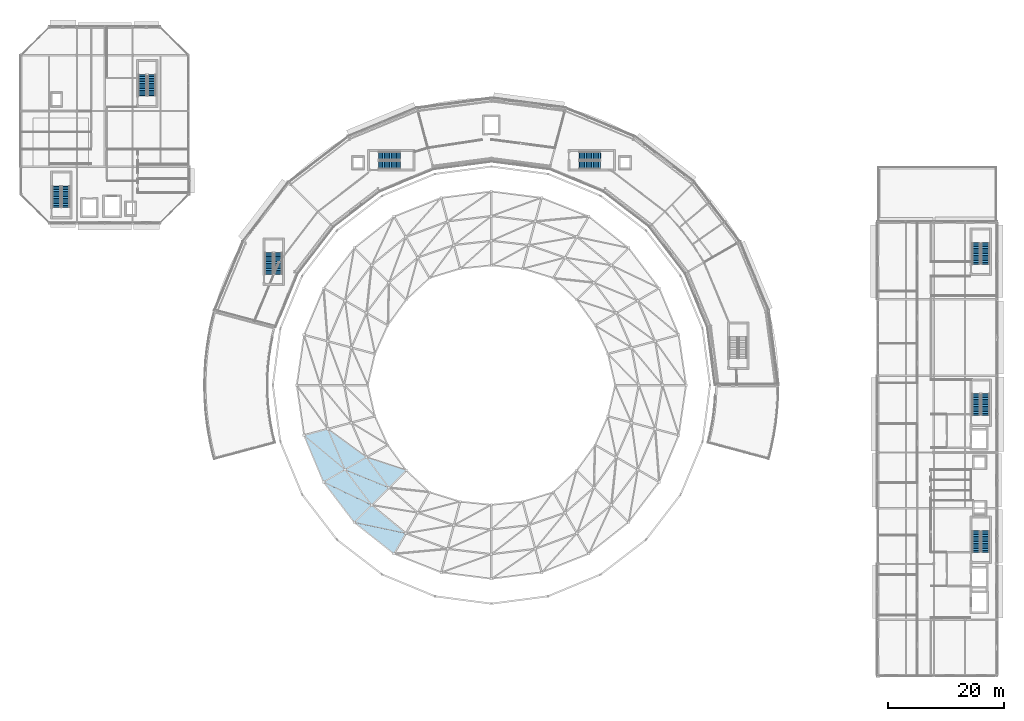
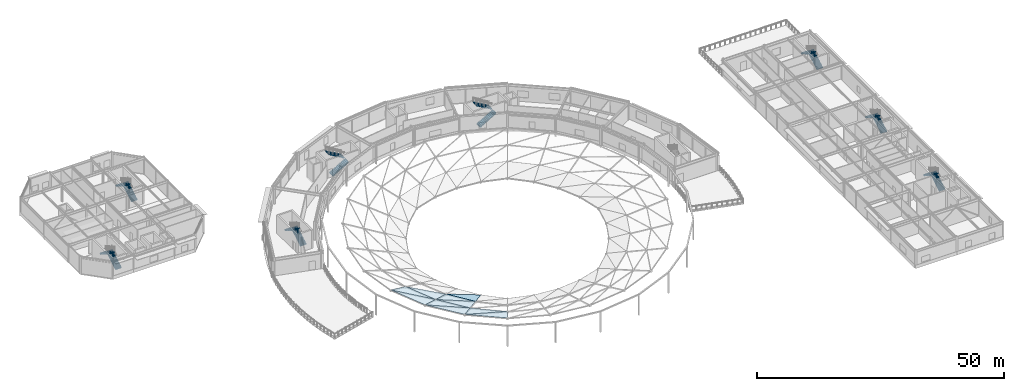
# One storey, part 69 of 89: 16 stair flights, 10 roofs, 8 elements without a shape of their own.
"""IFC4 building model written with IfcOpenShell, lengths in metres."""

from ifc_helpers import new_model, si_unit, direction, frame, origin, place, context, subcontext, project, spatial, polyline, outline, extrude, material, layer, layer_set, type_object, element, aggregate, save


model = new_model("IFC4")

# Units and contexts
model_context = context("Model", 3, precision=1e-05, world=origin(), true_north=direction((0.0, 1.0)))
body_context = subcontext(model_context, "Body", "Model", "MODEL_VIEW")
ifc_project = project(units=[si_unit("LENGTHUNIT", "METRE"), si_unit("AREAUNIT", "SQUARE_METRE"), si_unit("VOLUMEUNIT", "CUBIC_METRE"), si_unit("PLANEANGLEUNIT", "RADIAN"), si_unit("MASSUNIT", "GRAM", prefix="KILO")], contexts=[model_context])

# Site, building, storey
site_placement = place(None, origin())
site = spatial("IfcSite", under=ifc_project, at=site_placement, CompositionType="ELEMENT")
building_placement = place(site_placement, origin())
building = spatial("IfcBuilding", under=site, at=building_placement, Name="Almandine Court Research Institute", CompositionType="ELEMENT")
storey_placement = place(building_placement, frame((0.0, 0.0, 18.89990234375)))
storey = spatial("IfcBuildingStorey", under=building, at=storey_placement, Name="L04", CompositionType="ELEMENT", Elevation=18.89990234375)

# Stair, stair flights
ifc_material_1 = material(Name="Concrete C35/45", Category="concrete")
stair_type = type_object("IfcStairType", Name="Stair-Core-26R", PredefinedType="HALF_TURN_STAIR", material=ifc_material_1)
stair_1_placement = place(storey_placement, origin())
stair_1 = element("IfcStair", 1, at=stair_1_placement, inside=storey, type_object=stair_type, Name="L04 Cleanroom Pavilion South Exit Stair", PredefinedType="HALF_TURN_STAIR")
stair_flight_type = type_object("IfcStairFlightType", Name="Flight-Core-26R", PredefinedType="STRAIGHT", material=ifc_material_1)
stair_flight_1_placement = place(storey_placement, frame((13.68994140625, 86.64990234375, 0.0), z_axis=(0.0, 0.0, 1.0), x_axis=(0.0, 1.0, 0.0)))
stair_flight_1 = element("IfcStairFlight", 2, at=stair_flight_1_placement, type_object=stair_flight_type, Name="ST-05 flight 1", NumberOfRisers=13, NumberOfTreads=12, PredefinedType="STRAIGHT", RiserHeight=0.175, TreadLength=0.3, context=body_context, shape_type="SweptSolid", body=[
    extrude(outline(polyline([(-0.080078125, -0.139892578125), (-0.080078125, 0.0), (0.0, 0.0), (0.0, 0.175048828125), (0.300048828125, 0.175048828125), (0.300048828125, 0.35009765625), (0.60009765625, 0.35009765625), (0.60009765625, 0.52490234375), (0.89990234375, 0.52490234375), (0.89990234375, 0.699951171875), (1.199951171875, 0.699951171875), (1.199951171875, 0.875), (1.5, 0.875), (1.5, 1.050048828125), (1.800048828125, 1.050048828125), (1.800048828125, 1.22509765625), (2.10009765625, 1.22509765625), (2.10009765625, 1.39990234375), (2.39990234375, 1.39990234375), (2.39990234375, 1.574951171875), (2.699951171875, 1.574951171875), (2.699951171875, 1.75), (3.0, 1.75), (3.0, 1.925048828125), (3.300048828125, 1.925048828125), (3.300048828125, 2.10009765625), (3.60009765625, 2.10009765625), (3.60009765625, 2.27490234375), (3.679931640625, 2.27490234375), (3.679931640625, 2.114990234375), (3.60009765625, 1.914794921875), (0.3173828125, 0.0), (0.3173828125, -0.139892578125), (-0.080078125, -0.139892578125)])), frame((0.0, 0.7099609375, 0.0), z_axis=(0.0, -1.0, 0.0), x_axis=(1.0, 0.0, 0.0)), (0.0, 0.0, 1.0), 1.419921875),
])
stair_flight_2_placement = place(storey_placement, frame((12.110107421875, 90.25, 2.275146484375), z_axis=(0.0, 0.0, 1.0), x_axis=(0.0, -1.0, 0.0)))
stair_flight_2 = element("IfcStairFlight", 3, at=stair_flight_2_placement, type_object=stair_flight_type, Name="ST-05 flight 2", NumberOfRisers=13, NumberOfTreads=12, PredefinedType="STRAIGHT", RiserHeight=0.175, TreadLength=0.3, context=body_context, shape_type="SweptSolid", body=[
    extrude(outline(polyline([(-0.080078125, -0.139892578125), (-0.080078125, 0.0), (0.0, 0.0), (0.0, 0.175048828125), (0.300048828125, 0.175048828125), (0.300048828125, 0.35009765625), (0.60009765625, 0.35009765625), (0.60009765625, 0.52490234375), (0.89990234375, 0.52490234375), (0.89990234375, 0.699951171875), (1.199951171875, 0.699951171875), (1.199951171875, 0.875), (1.5, 0.875), (1.5, 1.050048828125), (1.800048828125, 1.050048828125), (1.800048828125, 1.22509765625), (2.10009765625, 1.22509765625), (2.10009765625, 1.39990234375), (2.39990234375, 1.39990234375), (2.39990234375, 1.574951171875), (2.699951171875, 1.574951171875), (2.699951171875, 1.75), (3.0, 1.75), (3.0, 1.925048828125), (3.300048828125, 1.925048828125), (3.300048828125, 2.10009765625), (3.60009765625, 2.10009765625), (3.60009765625, 2.27490234375), (3.679931640625, 2.27490234375), (3.679931640625, 2.114990234375), (3.60009765625, 1.914794921875), (0.3173828125, 0.0), (0.3173828125, -0.139892578125), (-0.080078125, -0.139892578125)])), frame((0.0, 0.7099609375, 0.0), z_axis=(0.0, -1.0, 0.0), x_axis=(1.0, 0.0, 0.0)), (0.0, 0.0, 1.0), 1.419921875),
])
aggregate(stair_1, [stair_flight_1, stair_flight_2])

stair_2_placement = place(storey_placement, origin())
stair_2 = element("IfcStair", 4, at=stair_2_placement, inside=storey, type_object=stair_type, Name="L04 Cleanroom Pavilion North Exit Stair", PredefinedType="HALF_TURN_STAIR")
stair_flight_3_placement = place(storey_placement, frame((28.489990234375, 105.85009765625, 0.0), z_axis=(0.0, 0.0, 1.0), x_axis=(0.0, 1.0, 0.0)))
stair_flight_3 = element("IfcStairFlight", 5, at=stair_flight_3_placement, type_object=stair_flight_type, Name="ST-06 flight 1", NumberOfRisers=13, NumberOfTreads=12, PredefinedType="STRAIGHT", RiserHeight=0.175, TreadLength=0.3, context=body_context, shape_type="SweptSolid", body=[
    extrude(outline(polyline([(-0.080078125, -0.139892578125), (-0.080078125, 0.0), (0.0, 0.0), (0.0, 0.175048828125), (0.300048828125, 0.175048828125), (0.300048828125, 0.35009765625), (0.60009765625, 0.35009765625), (0.60009765625, 0.52490234375), (0.89990234375, 0.52490234375), (0.89990234375, 0.699951171875), (1.199951171875, 0.699951171875), (1.199951171875, 0.875), (1.5, 0.875), (1.5, 1.050048828125), (1.800048828125, 1.050048828125), (1.800048828125, 1.22509765625), (2.10009765625, 1.22509765625), (2.10009765625, 1.39990234375), (2.39990234375, 1.39990234375), (2.39990234375, 1.574951171875), (2.699951171875, 1.574951171875), (2.699951171875, 1.75), (3.0, 1.75), (3.0, 1.925048828125), (3.300048828125, 1.925048828125), (3.300048828125, 2.10009765625), (3.60009765625, 2.10009765625), (3.60009765625, 2.27490234375), (3.679931640625, 2.27490234375), (3.679931640625, 2.114990234375), (3.60009765625, 1.914794921875), (0.3173828125, 0.0), (0.3173828125, -0.139892578125), (-0.080078125, -0.139892578125)])), frame((0.0, 0.7099609375, 0.0), z_axis=(0.0, -1.0, 0.0), x_axis=(1.0, 0.0, 0.0)), (0.0, 0.0, 1.0), 1.419921875),
])
stair_flight_4_placement = place(storey_placement, frame((26.909912109375, 109.449951171875, 2.275146484375), z_axis=(0.0, 0.0, 1.0), x_axis=(0.0, -1.0, 0.0)))
stair_flight_4 = element("IfcStairFlight", 6, at=stair_flight_4_placement, type_object=stair_flight_type, Name="ST-06 flight 2", NumberOfRisers=13, NumberOfTreads=12, PredefinedType="STRAIGHT", RiserHeight=0.175, TreadLength=0.3, context=body_context, shape_type="SweptSolid", body=[
    extrude(outline(polyline([(-0.080078125, -0.139892578125), (-0.080078125, 0.0), (0.0, 0.0), (0.0, 0.175048828125), (0.300048828125, 0.175048828125), (0.300048828125, 0.35009765625), (0.60009765625, 0.35009765625), (0.60009765625, 0.52490234375), (0.89990234375, 0.52490234375), (0.89990234375, 0.699951171875), (1.199951171875, 0.699951171875), (1.199951171875, 0.875), (1.5, 0.875), (1.5, 1.050048828125), (1.800048828125, 1.050048828125), (1.800048828125, 1.22509765625), (2.10009765625, 1.22509765625), (2.10009765625, 1.39990234375), (2.39990234375, 1.39990234375), (2.39990234375, 1.574951171875), (2.699951171875, 1.574951171875), (2.699951171875, 1.75), (3.0, 1.75), (3.0, 1.925048828125), (3.300048828125, 1.925048828125), (3.300048828125, 2.10009765625), (3.60009765625, 2.10009765625), (3.60009765625, 2.27490234375), (3.679931640625, 2.27490234375), (3.679931640625, 2.114990234375), (3.60009765625, 1.914794921875), (0.3173828125, 0.0), (0.3173828125, -0.139892578125), (-0.080078125, -0.139892578125)])), frame((0.0, 0.7099609375, 0.0), z_axis=(0.0, -1.0, 0.0), x_axis=(1.0, 0.0, 0.0)), (0.0, 0.0, 1.0), 1.419921875),
])
aggregate(stair_2, [stair_flight_3, stair_flight_4])

stair_3_placement = place(storey_placement, origin())
stair_3 = element("IfcStair", 7, at=stair_3_placement, inside=storey, type_object=stair_type, Name="L04 Wet Lab South High-Rise Core Stair", PredefinedType="HALF_TURN_STAIR")
stair_flight_5_placement = place(storey_placement, frame((172.090087890625, 27.25, 0.0), z_axis=(0.0, 0.0, 1.0), x_axis=(0.0, 1.0, 0.0)))
stair_flight_5 = element("IfcStairFlight", 8, at=stair_flight_5_placement, type_object=stair_flight_type, Name="ST-07 flight 1", NumberOfRisers=13, NumberOfTreads=12, PredefinedType="STRAIGHT", RiserHeight=0.175, TreadLength=0.3, context=body_context, shape_type="SweptSolid", body=[
    extrude(outline(polyline([(-0.080078125, -0.139892578125), (-0.080078125, 0.0), (0.0, 0.0), (0.0, 0.175048828125), (0.300048828125, 0.175048828125), (0.300048828125, 0.35009765625), (0.60009765625, 0.35009765625), (0.60009765625, 0.52490234375), (0.89990234375, 0.52490234375), (0.89990234375, 0.699951171875), (1.199951171875, 0.699951171875), (1.199951171875, 0.875), (1.5, 0.875), (1.5, 1.050048828125), (1.800048828125, 1.050048828125), (1.800048828125, 1.22509765625), (2.10009765625, 1.22509765625), (2.10009765625, 1.39990234375), (2.39990234375, 1.39990234375), (2.39990234375, 1.574951171875), (2.699951171875, 1.574951171875), (2.699951171875, 1.75), (3.0, 1.75), (3.0, 1.925048828125), (3.300048828125, 1.925048828125), (3.300048828125, 2.10009765625), (3.60009765625, 2.10009765625), (3.60009765625, 2.27490234375), (3.679931640625, 2.27490234375), (3.679931640625, 2.114990234375), (3.60009765625, 1.914794921875), (0.3173828125, 0.0), (0.3173828125, -0.139892578125), (-0.080078125, -0.139892578125)])), frame((0.0, 0.7099609375, 0.0), z_axis=(0.0, -1.0, 0.0), x_axis=(1.0, 0.0, 0.0)), (0.0, 0.0, 1.0), 1.419921875),
])
stair_flight_6_placement = place(storey_placement, frame((170.510009765625, 30.85009765625, 2.275146484375), z_axis=(0.0, 0.0, 1.0), x_axis=(0.0, -1.0, 0.0)))
stair_flight_6 = element("IfcStairFlight", 9, at=stair_flight_6_placement, type_object=stair_flight_type, Name="ST-07 flight 2", NumberOfRisers=13, NumberOfTreads=12, PredefinedType="STRAIGHT", RiserHeight=0.175, TreadLength=0.3, context=body_context, shape_type="SweptSolid", body=[
    extrude(outline(polyline([(-0.080078125, -0.139892578125), (-0.080078125, 0.0), (0.0, 0.0), (0.0, 0.175048828125), (0.300048828125, 0.175048828125), (0.300048828125, 0.35009765625), (0.60009765625, 0.35009765625), (0.60009765625, 0.52490234375), (0.89990234375, 0.52490234375), (0.89990234375, 0.699951171875), (1.199951171875, 0.699951171875), (1.199951171875, 0.875), (1.5, 0.875), (1.5, 1.050048828125), (1.800048828125, 1.050048828125), (1.800048828125, 1.22509765625), (2.10009765625, 1.22509765625), (2.10009765625, 1.39990234375), (2.39990234375, 1.39990234375), (2.39990234375, 1.574951171875), (2.699951171875, 1.574951171875), (2.699951171875, 1.75), (3.0, 1.75), (3.0, 1.925048828125), (3.300048828125, 1.925048828125), (3.300048828125, 2.10009765625), (3.60009765625, 2.10009765625), (3.60009765625, 2.27490234375), (3.679931640625, 2.27490234375), (3.679931640625, 2.114990234375), (3.60009765625, 1.914794921875), (0.3173828125, 0.0), (0.3173828125, -0.139892578125), (-0.080078125, -0.139892578125)])), frame((0.0, 0.7099609375, 0.0), z_axis=(0.0, -1.0, 0.0), x_axis=(1.0, 0.0, 0.0)), (0.0, 0.0, 1.0), 1.419921875),
])
aggregate(stair_3, [stair_flight_5, stair_flight_6])

stair_4_placement = place(storey_placement, origin())
stair_4 = element("IfcStair", 10, at=stair_4_placement, inside=storey, type_object=stair_type, Name="L04 Wet Lab Central High-Rise Core Stair", PredefinedType="HALF_TURN_STAIR")
stair_flight_7_placement = place(storey_placement, frame((172.090087890625, 50.85009765625, 0.0), z_axis=(0.0, 0.0, 1.0), x_axis=(0.0, 1.0, 0.0)))
stair_flight_7 = element("IfcStairFlight", 11, at=stair_flight_7_placement, type_object=stair_flight_type, Name="ST-08 flight 1", NumberOfRisers=13, NumberOfTreads=12, PredefinedType="STRAIGHT", RiserHeight=0.175, TreadLength=0.3, context=body_context, shape_type="SweptSolid", body=[
    extrude(outline(polyline([(-0.080078125, -0.139892578125), (-0.080078125, 0.0), (0.0, 0.0), (0.0, 0.175048828125), (0.300048828125, 0.175048828125), (0.300048828125, 0.35009765625), (0.60009765625, 0.35009765625), (0.60009765625, 0.52490234375), (0.89990234375, 0.52490234375), (0.89990234375, 0.699951171875), (1.199951171875, 0.699951171875), (1.199951171875, 0.875), (1.5, 0.875), (1.5, 1.050048828125), (1.800048828125, 1.050048828125), (1.800048828125, 1.22509765625), (2.10009765625, 1.22509765625), (2.10009765625, 1.39990234375), (2.39990234375, 1.39990234375), (2.39990234375, 1.574951171875), (2.699951171875, 1.574951171875), (2.699951171875, 1.75), (3.0, 1.75), (3.0, 1.925048828125), (3.300048828125, 1.925048828125), (3.300048828125, 2.10009765625), (3.60009765625, 2.10009765625), (3.60009765625, 2.27490234375), (3.679931640625, 2.27490234375), (3.679931640625, 2.114990234375), (3.60009765625, 1.914794921875), (0.3173828125, 0.0), (0.3173828125, -0.139892578125), (-0.080078125, -0.139892578125)])), frame((0.0, 0.7099609375, 0.0), z_axis=(0.0, -1.0, 0.0), x_axis=(1.0, 0.0, 0.0)), (0.0, 0.0, 1.0), 1.419921875),
])
stair_flight_8_placement = place(storey_placement, frame((170.510009765625, 54.449951171875, 2.275146484375), z_axis=(0.0, 0.0, 1.0), x_axis=(0.0, -1.0, 0.0)))
stair_flight_8 = element("IfcStairFlight", 12, at=stair_flight_8_placement, type_object=stair_flight_type, Name="ST-08 flight 2", NumberOfRisers=13, NumberOfTreads=12, PredefinedType="STRAIGHT", RiserHeight=0.175, TreadLength=0.3, context=body_context, shape_type="SweptSolid", body=[
    extrude(outline(polyline([(-0.080078125, -0.139892578125), (-0.080078125, 0.0), (0.0, 0.0), (0.0, 0.175048828125), (0.300048828125, 0.175048828125), (0.300048828125, 0.35009765625), (0.60009765625, 0.35009765625), (0.60009765625, 0.52490234375), (0.89990234375, 0.52490234375), (0.89990234375, 0.699951171875), (1.199951171875, 0.699951171875), (1.199951171875, 0.875), (1.5, 0.875), (1.5, 1.050048828125), (1.800048828125, 1.050048828125), (1.800048828125, 1.22509765625), (2.10009765625, 1.22509765625), (2.10009765625, 1.39990234375), (2.39990234375, 1.39990234375), (2.39990234375, 1.574951171875), (2.699951171875, 1.574951171875), (2.699951171875, 1.75), (3.0, 1.75), (3.0, 1.925048828125), (3.300048828125, 1.925048828125), (3.300048828125, 2.10009765625), (3.60009765625, 2.10009765625), (3.60009765625, 2.27490234375), (3.679931640625, 2.27490234375), (3.679931640625, 2.114990234375), (3.60009765625, 1.914794921875), (0.3173828125, 0.0), (0.3173828125, -0.139892578125), (-0.080078125, -0.139892578125)])), frame((0.0, 0.7099609375, 0.0), z_axis=(0.0, -1.0, 0.0), x_axis=(1.0, 0.0, 0.0)), (0.0, 0.0, 1.0), 1.419921875),
])
aggregate(stair_4, [stair_flight_7, stair_flight_8])

stair_5_placement = place(storey_placement, origin())
stair_5 = element("IfcStair", 13, at=stair_5_placement, inside=storey, type_object=stair_type, Name="L04 Wet Lab North Exit Stair", PredefinedType="HALF_TURN_STAIR")
stair_flight_9_placement = place(storey_placement, frame((172.090087890625, 76.85009765625, 0.0), z_axis=(0.0, 0.0, 1.0), x_axis=(0.0, 1.0, 0.0)))
stair_flight_9 = element("IfcStairFlight", 14, at=stair_flight_9_placement, type_object=stair_flight_type, Name="ST-13 flight 1", NumberOfRisers=13, NumberOfTreads=12, PredefinedType="STRAIGHT", RiserHeight=0.175, TreadLength=0.3, context=body_context, shape_type="SweptSolid", body=[
    extrude(outline(polyline([(-0.080078125, -0.139892578125), (-0.080078125, 0.0), (0.0, 0.0), (0.0, 0.175048828125), (0.300048828125, 0.175048828125), (0.300048828125, 0.35009765625), (0.60009765625, 0.35009765625), (0.60009765625, 0.52490234375), (0.89990234375, 0.52490234375), (0.89990234375, 0.699951171875), (1.199951171875, 0.699951171875), (1.199951171875, 0.875), (1.5, 0.875), (1.5, 1.050048828125), (1.800048828125, 1.050048828125), (1.800048828125, 1.22509765625), (2.10009765625, 1.22509765625), (2.10009765625, 1.39990234375), (2.39990234375, 1.39990234375), (2.39990234375, 1.574951171875), (2.699951171875, 1.574951171875), (2.699951171875, 1.75), (3.0, 1.75), (3.0, 1.925048828125), (3.300048828125, 1.925048828125), (3.300048828125, 2.10009765625), (3.60009765625, 2.10009765625), (3.60009765625, 2.27490234375), (3.679931640625, 2.27490234375), (3.679931640625, 2.114990234375), (3.60009765625, 1.914794921875), (0.3173828125, 0.0), (0.3173828125, -0.139892578125), (-0.080078125, -0.139892578125)])), frame((0.0, 0.7099609375, 0.0), z_axis=(0.0, -1.0, 0.0), x_axis=(1.0, 0.0, 0.0)), (0.0, 0.0, 1.0), 1.419921875),
])
stair_flight_10_placement = place(storey_placement, frame((170.510009765625, 80.449951171875, 2.275146484375), z_axis=(0.0, 0.0, 1.0), x_axis=(0.0, -1.0, 0.0)))
stair_flight_10 = element("IfcStairFlight", 15, at=stair_flight_10_placement, type_object=stair_flight_type, Name="ST-13 flight 2", NumberOfRisers=13, NumberOfTreads=12, PredefinedType="STRAIGHT", RiserHeight=0.175, TreadLength=0.3, context=body_context, shape_type="SweptSolid", body=[
    extrude(outline(polyline([(-0.080078125, -0.139892578125), (-0.080078125, 0.0), (0.0, 0.0), (0.0, 0.175048828125), (0.300048828125, 0.175048828125), (0.300048828125, 0.35009765625), (0.60009765625, 0.35009765625), (0.60009765625, 0.52490234375), (0.89990234375, 0.52490234375), (0.89990234375, 0.699951171875), (1.199951171875, 0.699951171875), (1.199951171875, 0.875), (1.5, 0.875), (1.5, 1.050048828125), (1.800048828125, 1.050048828125), (1.800048828125, 1.22509765625), (2.10009765625, 1.22509765625), (2.10009765625, 1.39990234375), (2.39990234375, 1.39990234375), (2.39990234375, 1.574951171875), (2.699951171875, 1.574951171875), (2.699951171875, 1.75), (3.0, 1.75), (3.0, 1.925048828125), (3.300048828125, 1.925048828125), (3.300048828125, 2.10009765625), (3.60009765625, 2.10009765625), (3.60009765625, 2.27490234375), (3.679931640625, 2.27490234375), (3.679931640625, 2.114990234375), (3.60009765625, 1.914794921875), (0.3173828125, 0.0), (0.3173828125, -0.139892578125), (-0.080078125, -0.139892578125)])), frame((0.0, 0.7099609375, 0.0), z_axis=(0.0, -1.0, 0.0), x_axis=(1.0, 0.0, 0.0)), (0.0, 0.0, 1.0), 1.419921875),
])
aggregate(stair_5, [stair_flight_9, stair_flight_10])

stair_6_placement = place(storey_placement, origin())
stair_6 = element("IfcStair", 16, at=stair_6_placement, inside=storey, type_object=stair_type, Name="L04 Drum Northeast Exit Stair", PredefinedType="HALF_TURN_STAIR")
stair_flight_11_placement = place(storey_placement, frame((102.14990234375, 93.909912109375, 0.0), z_axis=(0.0, 0.0, 1.0), x_axis=(1.0, 0.0, 0.0)))
stair_flight_11 = element("IfcStairFlight", 17, at=stair_flight_11_placement, type_object=stair_flight_type, Name="ST-09 flight 1", NumberOfRisers=13, NumberOfTreads=12, PredefinedType="STRAIGHT", RiserHeight=0.175, TreadLength=0.3, context=body_context, shape_type="SweptSolid", body=[
    extrude(outline(polyline([(-0.080078125, -0.139892578125), (-0.080078125, 0.0), (0.0, 0.0), (0.0, 0.175048828125), (0.300048828125, 0.175048828125), (0.300048828125, 0.35009765625), (0.60009765625, 0.35009765625), (0.60009765625, 0.52490234375), (0.89990234375, 0.52490234375), (0.89990234375, 0.699951171875), (1.199951171875, 0.699951171875), (1.199951171875, 0.875), (1.5, 0.875), (1.5, 1.050048828125), (1.800048828125, 1.050048828125), (1.800048828125, 1.22509765625), (2.10009765625, 1.22509765625), (2.10009765625, 1.39990234375), (2.39990234375, 1.39990234375), (2.39990234375, 1.574951171875), (2.699951171875, 1.574951171875), (2.699951171875, 1.75), (3.0, 1.75), (3.0, 1.925048828125), (3.300048828125, 1.925048828125), (3.300048828125, 2.10009765625), (3.60009765625, 2.10009765625), (3.60009765625, 2.27490234375), (3.679931640625, 2.27490234375), (3.679931640625, 2.114990234375), (3.60009765625, 1.914794921875), (0.3173828125, 0.0), (0.3173828125, -0.139892578125), (-0.080078125, -0.139892578125)])), frame((0.0, 0.7099609375, 0.0), z_axis=(0.0, -1.0, 0.0), x_axis=(1.0, 0.0, 0.0)), (0.0, 0.0, 1.0), 1.419921875),
])
stair_flight_12_placement = place(storey_placement, frame((105.75, 95.489990234375, 2.275146484375), z_axis=(0.0, 0.0, 1.0), x_axis=(-1.0, 0.0, 0.0)))
stair_flight_12 = element("IfcStairFlight", 18, at=stair_flight_12_placement, type_object=stair_flight_type, Name="ST-09 flight 2", NumberOfRisers=13, NumberOfTreads=12, PredefinedType="STRAIGHT", RiserHeight=0.175, TreadLength=0.3, context=body_context, shape_type="SweptSolid", body=[
    extrude(outline(polyline([(-0.080078125, -0.139892578125), (-0.080078125, 0.0), (0.0, 0.0), (0.0, 0.175048828125), (0.300048828125, 0.175048828125), (0.300048828125, 0.35009765625), (0.60009765625, 0.35009765625), (0.60009765625, 0.52490234375), (0.89990234375, 0.52490234375), (0.89990234375, 0.699951171875), (1.199951171875, 0.699951171875), (1.199951171875, 0.875), (1.5, 0.875), (1.5, 1.050048828125), (1.800048828125, 1.050048828125), (1.800048828125, 1.22509765625), (2.10009765625, 1.22509765625), (2.10009765625, 1.39990234375), (2.39990234375, 1.39990234375), (2.39990234375, 1.574951171875), (2.699951171875, 1.574951171875), (2.699951171875, 1.75), (3.0, 1.75), (3.0, 1.925048828125), (3.300048828125, 1.925048828125), (3.300048828125, 2.10009765625), (3.60009765625, 2.10009765625), (3.60009765625, 2.27490234375), (3.679931640625, 2.27490234375), (3.679931640625, 2.114990234375), (3.60009765625, 1.914794921875), (0.3173828125, 0.0), (0.3173828125, -0.139892578125), (-0.080078125, -0.139892578125)])), frame((0.0, 0.7099609375, 0.0), z_axis=(0.0, -1.0, 0.0), x_axis=(1.0, 0.0, 0.0)), (0.0, 0.0, 1.0), 1.419921875),
])
aggregate(stair_6, [stair_flight_11, stair_flight_12])

stair_7_placement = place(storey_placement, origin())
stair_7 = element("IfcStair", 19, at=stair_7_placement, inside=storey, type_object=stair_type, Name="L04 Drum Northwest Exit Stair", PredefinedType="HALF_TURN_STAIR")
stair_flight_13_placement = place(storey_placement, frame((67.64990234375, 93.909912109375, 0.0), z_axis=(0.0, 0.0, 1.0), x_axis=(1.0, 0.0, 0.0)))
stair_flight_13 = element("IfcStairFlight", 20, at=stair_flight_13_placement, type_object=stair_flight_type, Name="ST-10 flight 1", NumberOfRisers=13, NumberOfTreads=12, PredefinedType="STRAIGHT", RiserHeight=0.175, TreadLength=0.3, context=body_context, shape_type="SweptSolid", body=[
    extrude(outline(polyline([(-0.080078125, -0.139892578125), (-0.080078125, 0.0), (0.0, 0.0), (0.0, 0.175048828125), (0.300048828125, 0.175048828125), (0.300048828125, 0.35009765625), (0.60009765625, 0.35009765625), (0.60009765625, 0.52490234375), (0.89990234375, 0.52490234375), (0.89990234375, 0.699951171875), (1.199951171875, 0.699951171875), (1.199951171875, 0.875), (1.5, 0.875), (1.5, 1.050048828125), (1.800048828125, 1.050048828125), (1.800048828125, 1.22509765625), (2.10009765625, 1.22509765625), (2.10009765625, 1.39990234375), (2.39990234375, 1.39990234375), (2.39990234375, 1.574951171875), (2.699951171875, 1.574951171875), (2.699951171875, 1.75), (3.0, 1.75), (3.0, 1.925048828125), (3.300048828125, 1.925048828125), (3.300048828125, 2.10009765625), (3.60009765625, 2.10009765625), (3.60009765625, 2.27490234375), (3.679931640625, 2.27490234375), (3.679931640625, 2.114990234375), (3.60009765625, 1.914794921875), (0.3173828125, 0.0), (0.3173828125, -0.139892578125), (-0.080078125, -0.139892578125)])), frame((0.0, 0.7099609375, 0.0), z_axis=(0.0, -1.0, 0.0), x_axis=(1.0, 0.0, 0.0)), (0.0, 0.0, 1.0), 1.419921875),
])
stair_flight_14_placement = place(storey_placement, frame((71.25, 95.489990234375, 2.275146484375), z_axis=(0.0, 0.0, 1.0), x_axis=(-1.0, 0.0, 0.0)))
stair_flight_14 = element("IfcStairFlight", 21, at=stair_flight_14_placement, type_object=stair_flight_type, Name="ST-10 flight 2", NumberOfRisers=13, NumberOfTreads=12, PredefinedType="STRAIGHT", RiserHeight=0.175, TreadLength=0.3, context=body_context, shape_type="SweptSolid", body=[
    extrude(outline(polyline([(-0.080078125, -0.139892578125), (-0.080078125, 0.0), (0.0, 0.0), (0.0, 0.175048828125), (0.300048828125, 0.175048828125), (0.300048828125, 0.35009765625), (0.60009765625, 0.35009765625), (0.60009765625, 0.52490234375), (0.89990234375, 0.52490234375), (0.89990234375, 0.699951171875), (1.199951171875, 0.699951171875), (1.199951171875, 0.875), (1.5, 0.875), (1.5, 1.050048828125), (1.800048828125, 1.050048828125), (1.800048828125, 1.22509765625), (2.10009765625, 1.22509765625), (2.10009765625, 1.39990234375), (2.39990234375, 1.39990234375), (2.39990234375, 1.574951171875), (2.699951171875, 1.574951171875), (2.699951171875, 1.75), (3.0, 1.75), (3.0, 1.925048828125), (3.300048828125, 1.925048828125), (3.300048828125, 2.10009765625), (3.60009765625, 2.10009765625), (3.60009765625, 2.27490234375), (3.679931640625, 2.27490234375), (3.679931640625, 2.114990234375), (3.60009765625, 1.914794921875), (0.3173828125, 0.0), (0.3173828125, -0.139892578125), (-0.080078125, -0.139892578125)])), frame((0.0, 0.7099609375, 0.0), z_axis=(0.0, -1.0, 0.0), x_axis=(1.0, 0.0, 0.0)), (0.0, 0.0, 1.0), 1.419921875),
])
aggregate(stair_7, [stair_flight_13, stair_flight_14])

stair_8_placement = place(storey_placement, origin())
stair_8 = element("IfcStair", 22, at=stair_8_placement, inside=storey, type_object=stair_type, Name="L04 Drum West Exit Stair", PredefinedType="HALF_TURN_STAIR")
stair_flight_15_placement = place(storey_placement, frame((50.2900390625, 75.14990234375, 0.0), z_axis=(0.0, 0.0, 1.0), x_axis=(0.0, 1.0, 0.0)))
stair_flight_15 = element("IfcStairFlight", 23, at=stair_flight_15_placement, type_object=stair_flight_type, Name="ST-15 flight 1", NumberOfRisers=13, NumberOfTreads=12, PredefinedType="STRAIGHT", RiserHeight=0.175, TreadLength=0.3, context=body_context, shape_type="SweptSolid", body=[
    extrude(outline(polyline([(-0.080078125, -0.139892578125), (-0.080078125, 0.0), (0.0, 0.0), (0.0, 0.175048828125), (0.300048828125, 0.175048828125), (0.300048828125, 0.35009765625), (0.60009765625, 0.35009765625), (0.60009765625, 0.52490234375), (0.89990234375, 0.52490234375), (0.89990234375, 0.699951171875), (1.199951171875, 0.699951171875), (1.199951171875, 0.875), (1.5, 0.875), (1.5, 1.050048828125), (1.800048828125, 1.050048828125), (1.800048828125, 1.22509765625), (2.10009765625, 1.22509765625), (2.10009765625, 1.39990234375), (2.39990234375, 1.39990234375), (2.39990234375, 1.574951171875), (2.699951171875, 1.574951171875), (2.699951171875, 1.75), (3.0, 1.75), (3.0, 1.925048828125), (3.300048828125, 1.925048828125), (3.300048828125, 2.10009765625), (3.60009765625, 2.10009765625), (3.60009765625, 2.27490234375), (3.679931640625, 2.27490234375), (3.679931640625, 2.114990234375), (3.60009765625, 1.914794921875), (0.3173828125, 0.0), (0.3173828125, -0.139892578125), (-0.080078125, -0.139892578125)])), frame((0.0, 0.7099609375, 0.0), z_axis=(0.0, -1.0, 0.0), x_axis=(1.0, 0.0, 0.0)), (0.0, 0.0, 1.0), 1.419921875),
])
stair_flight_16_placement = place(storey_placement, frame((48.7099609375, 78.75, 2.275146484375), z_axis=(0.0, 0.0, 1.0), x_axis=(0.0, -1.0, 0.0)))
stair_flight_16 = element("IfcStairFlight", 24, at=stair_flight_16_placement, type_object=stair_flight_type, Name="ST-15 flight 2", NumberOfRisers=13, NumberOfTreads=12, PredefinedType="STRAIGHT", RiserHeight=0.175, TreadLength=0.3, context=body_context, shape_type="SweptSolid", body=[
    extrude(outline(polyline([(-0.080078125, -0.139892578125), (-0.080078125, 0.0), (0.0, 0.0), (0.0, 0.175048828125), (0.300048828125, 0.175048828125), (0.300048828125, 0.35009765625), (0.60009765625, 0.35009765625), (0.60009765625, 0.52490234375), (0.89990234375, 0.52490234375), (0.89990234375, 0.699951171875), (1.199951171875, 0.699951171875), (1.199951171875, 0.875), (1.5, 0.875), (1.5, 1.050048828125), (1.800048828125, 1.050048828125), (1.800048828125, 1.22509765625), (2.10009765625, 1.22509765625), (2.10009765625, 1.39990234375), (2.39990234375, 1.39990234375), (2.39990234375, 1.574951171875), (2.699951171875, 1.574951171875), (2.699951171875, 1.75), (3.0, 1.75), (3.0, 1.925048828125), (3.300048828125, 1.925048828125), (3.300048828125, 2.10009765625), (3.60009765625, 2.10009765625), (3.60009765625, 2.27490234375), (3.679931640625, 2.27490234375), (3.679931640625, 2.114990234375), (3.60009765625, 1.914794921875), (0.3173828125, 0.0), (0.3173828125, -0.139892578125), (-0.080078125, -0.139892578125)])), frame((0.0, 0.7099609375, 0.0), z_axis=(0.0, -1.0, 0.0), x_axis=(1.0, 0.0, 0.0)), (0.0, 0.0, 1.0), 1.419921875),
])
aggregate(stair_8, [stair_flight_15, stair_flight_16])

# Roofs
ifc_material_2 = material(Name="Insulated Laminated Low-E Glass Roof Panel", Category="glass")
ifc_layer = layer(ifc_material_2, 0.080078125)
ifc_layer_set = layer_set([ifc_layer], Name="Insulated Laminated Low-E Glass Roof Panel")
roof_type = type_object("IfcRoofType", Name="Roof-GS-Facet", PredefinedType="PAVILION_ROOF", material=ifc_layer_set)
roof_1_placement = place(storey_placement, frame((54.715087890625, 47.34912109375, 4.153076171875), z_axis=(0.262629757854, 0.110160010467, 0.958587701978), x_axis=(0.386801181098, -0.922163134321, 0.0)))
element("IfcRoof", 25, at=roof_1_placement, inside=storey, type_object=roof_type, Name="Atrium Conical Gridshell Roof Facet R1-S13-1", PredefinedType="PAVILION_ROOF", context=body_context, shape_type="SweptSolid", body=[
    extrude(outline(polyline([(0.0, 0.0), (8.719732253142961, 0.0), (8.182710813275477, 4.413943470876931), (0.0, 0.0)])), origin(), (0.0, 0.0, -1.0), 0.080078125),
])
roof_2_placement = place(storey_placement, frame((54.715087890625, 47.34912109375, 4.153076171875), z_axis=(0.264695769348, 0.112817517031, 0.957709954809), x_axis=(0.760102396588, -0.635580681511, -0.135209260003)))
element("IfcRoof", 26, at=roof_2_placement, inside=storey, type_object=roof_type, Name="Atrium Conical Gridshell Roof Facet R1-S13-2", PredefinedType="PAVILION_ROOF", context=body_context, shape_type="SweptSolid", body=[
    extrude(outline(polyline([(0.0, 0.0), (9.297292789720702, 9.43689570931383e-16), (2.577409061732901, 3.5772915951896183), (0.0, 0.0)])), origin(), (0.0, 0.0, -1.0), 0.080078125),
])
roof_3_placement = place(storey_placement, frame((58.087890625, 39.30810546875, 4.153076171875), z_axis=(0.228902666245, 0.174033646617, 0.957766077511), x_axis=(0.605232319599, -0.796048892539, 0.0)))
element("IfcRoof", 27, at=roof_3_placement, inside=storey, type_object=roof_type, Name="Atrium Conical Gridshell Roof Facet R1-S14-1", PredefinedType="PAVILION_ROOF", context=body_context, shape_type="SweptSolid", body=[
    extrude(outline(polyline([(0.0, 0.0), (8.720744086123446, 0.0), (8.150577085095255, 4.371714932124634), (0.0, 0.0)])), origin(), (0.0, 0.0, -1.0), 0.080078125),
])
roof_4_placement = place(storey_placement, frame((58.087890625, 39.30810546875, 4.153076171875), z_axis=(0.227562874171, 0.170955148612, 0.958639387602), x_axis=(0.893731546791, -0.427517163797, -0.13591540358)))
element("IfcRoof", 28, at=roof_4_placement, inside=storey, type_object=roof_type, Name="Atrium Conical Gridshell Roof Facet R1-S14-2", PredefinedType="PAVILION_ROOF", context=body_context, shape_type="SweptSolid", body=[
    extrude(outline(polyline([(0.0, 0.0), (9.248989040313614, -3.885780586188048e-16), (2.5609864680797925, 3.6349191602134177), (0.0, 0.0)])), origin(), (0.0, 0.0, -1.0), 0.080078125),
])
roof_5_placement = place(storey_placement, frame((63.365966796875, 32.365966796875, 4.153076171875), z_axis=(0.184033973849, 0.232457866648, 0.955036563019), x_axis=(0.784037897323, -0.620712957461, 0.0)))
element("IfcRoof", 29, at=roof_5_placement, inside=storey, type_object=roof_type, Name="Atrium Conical Gridshell Roof Facet R1-S15-1", PredefinedType="PAVILION_ROOF", context=body_context, shape_type="SweptSolid", body=[
    extrude(outline(polyline([(0.0, 0.0), (8.743174905385716, 0.0), (8.148421115968345, 4.239901343981531), (0.0, 0.0)])), origin(), (0.0, 0.0, -1.0), 0.080078125),
])
roof_6_placement = place(storey_placement, frame((63.365966796875, 32.365966796875, 4.153076171875), z_axis=(0.182053292996, 0.221033428706, 0.958123594274), x_axis=(0.969146294413, -0.205003026871, -0.136854736855)))
element("IfcRoof", 30, at=roof_6_placement, inside=storey, type_object=roof_type, Name="Atrium Conical Gridshell Roof Facet R1-S15-2", PredefinedType="PAVILION_ROOF", context=body_context, shape_type="SweptSolid", body=[
    extrude(outline(polyline([(0.0, 0.0), (9.185506523314608, -1.6653345369377348e-16), (2.455325803590305, 3.6617423523572215), (0.0, 0.0)])), origin(), (0.0, 0.0, -1.0), 0.080078125),
])
roof_7_placement = place(storey_placement, frame((58.797119140625, 48.443115234375, 2.89599609375), z_axis=(0.261798958721, 0.111582850595, 0.958650391262), x_axis=(0.392087762798, -0.91992781579, 0.0)))
element("IfcRoof", 31, at=roof_7_placement, inside=storey, type_object=roof_type, Name="Atrium Conical Gridshell Roof Facet R2-S13-1", PredefinedType="PAVILION_ROOF", context=body_context, shape_type="SweptSolid", body=[
    extrude(outline(polyline([(0.0, 0.0), (7.61274276950755, 0.0), (7.098509923140728, 4.416359577751351), (0.0, 0.0)])), origin(), (0.0, 0.0, -1.0), 0.080078125),
])
roof_8_placement = place(storey_placement, frame((61.781982421875, 41.43994140625, 2.89599609375), z_axis=(0.230029577552, 0.172808243695, 0.957717967025), x_axis=(0.600636143888, -0.799522496654, 0.0)))
element("IfcRoof", 32, at=roof_8_placement, inside=storey, type_object=roof_type, Name="Atrium Conical Gridshell Roof Facet R2-S14-1", PredefinedType="PAVILION_ROOF", context=body_context, shape_type="SweptSolid", body=[
    extrude(outline(polyline([(0.0, 0.0), (7.611965298626422, 0.0), (7.017685496013431, 4.368432170012712), (0.0, 0.0)])), origin(), (0.0, 0.0, -1.0), 0.080078125),
])
roof_9_placement = place(storey_placement, frame((61.781982421875, 41.43994140625, 2.89599609375), z_axis=(0.228646588584, 0.169025171127, 0.958723750125), x_axis=(0.914567840057, -0.37476430028, -0.152044023788)))
element("IfcRoof", 33, at=roof_9_placement, inside=storey, type_object=roof_type, Name="Atrium Conical Gridshell Roof Facet R2-S14-2", PredefinedType="PAVILION_ROOF", context=body_context, shape_type="SweptSolid", body=[
    extrude(outline(polyline([(0.0, 0.0), (8.266263324196688, -5.551115123125783e-16), (2.769305336779173, 3.4784501278536424), (0.0, 0.0)])), origin(), (0.0, 0.0, -1.0), 0.080078125),
])
roof_10_placement = place(storey_placement, frame((65.47509765625, 43.572998046875, 1.63916015625), z_axis=(0.231801519788, 0.171357428915, 0.957551401743), x_axis=(0.594449099099, -0.804133240564, 0.0)))
element("IfcRoof", 34, at=roof_10_placement, inside=storey, type_object=roof_type, Name="Atrium Conical Gridshell Roof Facet R3-S14-1", PredefinedType="PAVILION_ROOF", context=body_context, shape_type="SweptSolid", body=[
    extrude(outline(polyline([(0.0, 0.0), (6.505087425038823, -4.440892098500626e-16), (5.878543429093522, 4.36427321167795), (0.0, 0.0)])), origin(), (0.0, 0.0, -1.0), 0.080078125),
])

save(model, "model.ifc")
